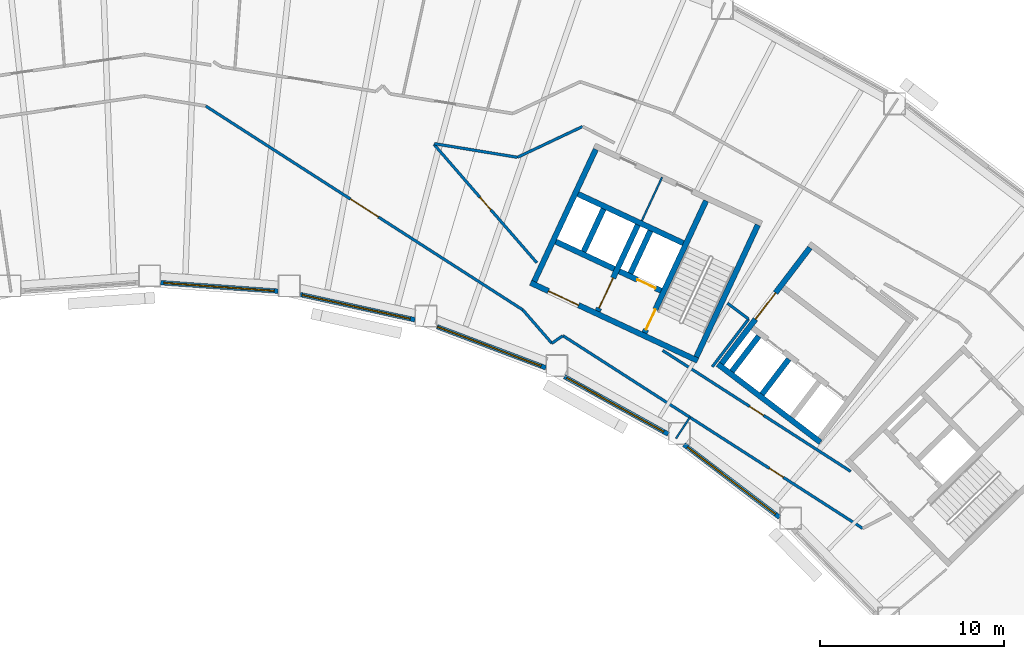
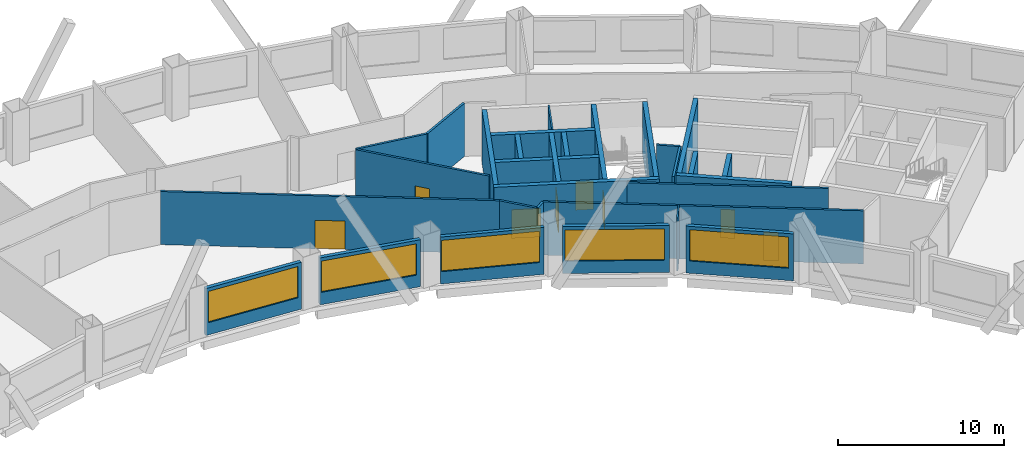
# One storey, part 6 of 12: 31 walls, 9 doors, 5 windows, 14 openings.
"""IFC4 building model written with IfcOpenShell, lengths in metres."""

from ifc_helpers import new_model, si_unit, direction, frame, frame_2d, origin, place, context, subcontext, project, spatial, rectangle, extrude, material, layer, layer_set, type_object, element, fill, save


model = new_model("IFC4")

# Units and contexts
model_context = context("Model", 3, precision=1e-05, world=origin(), true_north=direction((0.0, 1.0)))
body_context = subcontext(model_context, "Body", "Model", "MODEL_VIEW")
ifc_project = project(units=[si_unit("LENGTHUNIT", "METRE"), si_unit("AREAUNIT", "SQUARE_METRE"), si_unit("VOLUMEUNIT", "CUBIC_METRE"), si_unit("PLANEANGLEUNIT", "RADIAN"), si_unit("MASSUNIT", "GRAM", prefix="KILO")], contexts=[model_context])

# Site, building, storey
site_placement = place(None, origin())
site = spatial("IfcSite", under=ifc_project, at=site_placement, CompositionType="ELEMENT")
building_placement = place(site_placement, origin())
building = spatial("IfcBuilding", under=site, at=building_placement, Name="Tuul Gate Civic Tower", CompositionType="ELEMENT")
storey_placement = place(building_placement, frame((0.0, 0.0, 73.800048828125)))
storey = spatial("IfcBuildingStorey", under=building, at=storey_placement, Name="Level 16", CompositionType="ELEMENT", Elevation=73.800048828125)

# Wall, opening, door
ifc_material_1 = material(Name="Concrete C50/60", Category="concrete")
ifc_layer_1 = layer(ifc_material_1, 0.300048828125)
ifc_layer_set_1 = layer_set([ifc_layer_1], Name="Concrete C50/60")
wall_type_1 = type_object("IfcWallType", Name="Core wall C50/60", PredefinedType="SHEAR", material=ifc_layer_set_1)
wall_1_placement = place(storey_placement, frame((34.5283203125, -7.25, 0.0), z_axis=(0.0, 0.0, 1.0), x_axis=(-0.906310338845, 0.422612789327, 0.0)))
wall_1 = element("IfcWall", 1, at=wall_1_placement, inside=storey, type_object=wall_type_1, Name="Core wall", PredefinedType="SHEAR", context=body_context, shape_type="SweptSolid", body=[
    extrude(rectangle(XDim=9.999755859375, YDim=0.300048828125, at=frame_2d((5.0, 0.0))), origin(), (0.0, 0.0, 1.0), 3.89990234375),
])
opening_1_placement = place(wall_1_placement, frame((7.125, 0.0, 0.0)))
opening_1 = element("IfcOpeningElement", 2, at=opening_1_placement, cuts=wall_1, Name="Opening LB-E3-LOBBY-1", PredefinedType="OPENING", context=body_context, shape_type="SweptSolid", body=[
    extrude(rectangle(XDim=1.800048828125, YDim=2.10009765625, at=frame_2d((0.89990234375, 1.050048828125))), frame((0.0, 0.16015625, 0.0), z_axis=(0.0, -1.0, 0.0), x_axis=(1.0, 0.0, 0.0)), (0.0, 0.0, 1.0), 0.320068359375),
])
ifc_material_2 = material(Name="Steel", Category="steel")
door_type_1 = type_object("IfcDoorType", Name="Lobby door", OperationType="DOUBLE_DOOR_SINGLE_SWING", PredefinedType="DOOR", material=ifc_material_2)
door_1_placement = place(opening_1_placement, frame((1.800048828125, 0.0, 0.0), z_axis=(0.0, 0.0, 1.0), x_axis=(-1.0, 0.0, 0.0)))
door_1 = element("IfcDoor", 3, at=door_1_placement, inside=storey, type_object=door_type_1, Name="Lobby door E3-LOBBY", OperationType="DOUBLE_DOOR_SINGLE_SWING", OverallHeight=2.10009765625, OverallWidth=1.800048828125, PredefinedType="DOOR", context=body_context, shape_type="SweptSolid", body=[
    extrude(rectangle(XDim=1.800048828125, YDim=2.10009765625, at=frame_2d((0.900146484375, 1.050048828125))), frame((0.0, 0.02490234375, 0.0), z_axis=(0.0, -1.0, 0.0), x_axis=(1.0, 0.0, 0.0)), (0.0, 0.0, 1.0), 0.050048828125),
])
fill(opening_1, door_1)

wall_2_placement = place(storey_placement, frame((32.545654296875, -3.456787109375, 0.0), z_axis=(0.0, 0.0, 1.0), x_axis=(-0.906300357825, 0.42263419337, 0.0)))
wall_2 = element("IfcWall", 4, at=wall_2_placement, inside=storey, type_object=wall_type_1, Name="Core wall", PredefinedType="SHEAR", context=body_context, shape_type="SweptSolid", body=[
    extrude(rectangle(XDim=2.500244140625, YDim=0.300048828125, at=frame_2d((1.25, 0.0))), origin(), (0.0, 0.0, 1.0), 3.89990234375),
])
opening_2_placement = place(wall_2_placement, frame((0.324951171875, 0.0, 0.0)))
opening_2 = element("IfcOpeningElement", 5, at=opening_2_placement, cuts=wall_2, Name="Opening LD-FF-2", PredefinedType="OPENING", context=body_context, shape_type="SweptSolid", body=[
    extrude(rectangle(XDim=1.10009765625, YDim=2.10009765625, at=frame_2d((0.550048828125, 1.050048828125))), frame((0.0, 0.16015625, 0.0), z_axis=(0.0, -1.0, 0.0), x_axis=(1.0, 0.0, 0.0)), (0.0, 0.0, 1.0), 0.320068359375),
])
ifc_material_3 = material(Name="Stainless steel", Category="steel")
door_type_2 = type_object("IfcDoorType", Name="Landing door", OperationType="DOUBLE_DOOR_SLIDING", PredefinedType="DOOR", material=ifc_material_3)
door_2_placement = place(opening_2_placement, origin())
door_2 = element("IfcDoor", 6, at=door_2_placement, inside=storey, type_object=door_type_2, Name="Fire-fighting lift FF-2 landing door", OperationType="DOUBLE_DOOR_SLIDING", OverallHeight=2.10009765625, OverallWidth=1.10009765625, PredefinedType="DOOR", context=body_context, shape_type="SweptSolid", body=[
    extrude(rectangle(XDim=1.10009765625, YDim=2.10009765625, at=frame_2d((0.550048828125, 1.050048828125))), frame((0.0, 0.02490234375, 0.0), z_axis=(0.0, -1.0, 0.0), x_axis=(1.0, 0.0, 0.0)), (0.0, 0.0, 1.0), 0.050048828125),
])
fill(opening_2, door_2)

# Walls
wall_3_placement = place(storey_placement, frame((30.0078125, -2.2734375, 0.0), z_axis=(0.0, 0.0, 1.0), x_axis=(-0.90630071767, 0.422633421716, 0.0)))
element("IfcWall", 7, at=wall_3_placement, inside=storey, type_object=wall_type_1, Name="Core wall", PredefinedType="SHEAR", context=body_context, shape_type="SweptSolid", body=[
    extrude(rectangle(XDim=3.5, YDim=0.300048828125, at=frame_2d((1.75, 0.0))), origin(), (0.0, 0.0, 1.0), 3.89990234375),
])
wall_4_placement = place(storey_placement, frame((33.75, -0.873779296875, 0.0), z_axis=(0.0, 0.0, 1.0), x_axis=(-0.906300917592, 0.422632992999, 0.0)))
element("IfcWall", 8, at=wall_4_placement, inside=storey, type_object=wall_type_1, Name="Core wall", PredefinedType="SHEAR", context=body_context, shape_type="SweptSolid", body=[
    extrude(rectangle(XDim=6.300048828125, YDim=0.300048828125, at=frame_2d((3.14990234375, 0.0))), origin(), (0.0, 0.0, 1.0), 3.89990234375),
])
wall_5_placement = place(storey_placement, frame((34.455810546875, -7.05078125, 0.0), z_axis=(0.0, 0.0, 1.0), x_axis=(0.422570768258, 0.906329932096, 0.0)))
element("IfcWall", 9, at=wall_5_placement, inside=storey, type_object=wall_type_1, Name="Core wall", PredefinedType="SHEAR", context=body_context, shape_type="SweptSolid", body=[
    extrude(rectangle(XDim=7.900146484375, YDim=0.300048828125, at=frame_2d((3.9501953125, 0.0))), origin(), (0.0, 0.0, 1.0), 3.89990234375),
])

# Wall, opening, door
wall_6_placement = place(storey_placement, frame((31.646240234375, -5.740478515625, 0.0), z_axis=(0.0, 0.0, 1.0), x_axis=(0.422582604137, 0.906324413596, 0.0)))
wall_6 = element("IfcWall", 10, at=wall_6_placement, inside=storey, type_object=wall_type_1, Name="Core wall", PredefinedType="SHEAR", context=body_context, shape_type="SweptSolid", body=[
    extrude(rectangle(XDim=7.89990234375, YDim=0.300048828125, at=frame_2d((3.949951171875, 0.0))), origin(), (0.0, 0.0, 1.0), 3.89990234375),
])
opening_3_placement = place(wall_6_placement, frame((0.199951171875, 0.0, 0.0)))
opening_3 = element("IfcOpeningElement", 11, at=opening_3_placement, cuts=wall_6, Name="Opening SD-ST-4", PredefinedType="OPENING", context=body_context, shape_type="SweptSolid", body=[
    extrude(rectangle(XDim=1.199951171875, YDim=2.10009765625, at=frame_2d((0.60009765625, 1.050048828125))), frame((0.0, 0.16015625, 0.0), z_axis=(0.0, -1.0, 0.0), x_axis=(1.0, 0.0, 0.0)), (0.0, 0.0, 1.0), 0.320068359375),
])
ifc_material_4 = material(Name="Steel", Category="steel")
door_type_3 = type_object("IfcDoorType", Name="Stair door", OperationType="NOTDEFINED", PredefinedType="DOOR", material=ifc_material_4)
door_3_placement = place(opening_3_placement, origin())
door_3 = element("IfcDoor", 12, at=door_3_placement, inside=storey, type_object=door_type_3, Name="Stair door ST-4", OperationType="SINGLE_SWING_LEFT", OverallHeight=2.10009765625, OverallWidth=1.199951171875, PredefinedType="DOOR", context=body_context, shape_type="SweptSolid", body=[
    extrude(rectangle(XDim=1.199951171875, YDim=2.10009765625, at=frame_2d((0.60009765625, 1.050048828125))), frame((0.0, 0.02490234375, 0.0), z_axis=(0.0, -1.0, 0.0), x_axis=(1.0, 0.0, 0.0)), (0.0, 0.0, 1.0), 0.050048828125),
])
fill(opening_3, door_3)

# Wall
wall_7_placement = place(storey_placement, frame((30.886962890625, -2.517822265625, 0.0), z_axis=(0.0, 0.0, 1.0), x_axis=(0.422612891016, 0.906310291427, 0.0)))
element("IfcWall", 13, at=wall_7_placement, inside=storey, type_object=wall_type_1, Name="Core wall", PredefinedType="SHEAR", context=body_context, shape_type="SweptSolid", body=[
    extrude(rectangle(XDim=2.550048828125, YDim=0.300048828125, at=frame_2d((1.27490234375, 0.0))), origin(), (0.0, 0.0, 1.0), 3.89990234375),
])

# Wall, opening, door
wall_8_placement = place(storey_placement, frame((29.108642578125, -4.557373046875, 0.0), z_axis=(0.0, 0.0, 1.0), x_axis=(0.422566235356, 0.90633204552, 0.0)))
wall_8 = element("IfcWall", 14, at=wall_8_placement, inside=storey, type_object=wall_type_1, Name="Core wall", PredefinedType="SHEAR", context=body_context, shape_type="SweptSolid", body=[
    extrude(rectangle(XDim=5.150146484375, YDim=0.300048828125, at=frame_2d((2.5751953125, 0.0))), origin(), (0.0, 0.0, 1.0), 3.89990234375),
])
opening_4_placement = place(wall_8_placement, frame((0.175048828125, 0.0, 0.0)))
opening_4 = element("IfcOpeningElement", 15, at=opening_4_placement, cuts=wall_8, Name="Opening LB-E3-FLOBBY-1", PredefinedType="OPENING", context=body_context, shape_type="SweptSolid", body=[
    extrude(rectangle(XDim=1.800048828125, YDim=2.10009765625, at=frame_2d((0.89990234375, 1.050048828125))), frame((0.0, 0.16015625, 0.0), z_axis=(0.0, -1.0, 0.0), x_axis=(1.0, 0.0, 0.0)), (0.0, 0.0, 1.0), 0.320068359375),
])
door_4_placement = place(opening_4_placement, frame((1.800048828125, 0.0, 0.0), z_axis=(0.0, 0.0, 1.0), x_axis=(-1.0, 0.0, 0.0)))
door_4 = element("IfcDoor", 16, at=door_4_placement, inside=storey, type_object=door_type_1, Name="Lobby door E3-FLOBBY", OperationType="DOUBLE_DOOR_SINGLE_SWING", OverallHeight=2.10009765625, OverallWidth=1.800048828125, PredefinedType="DOOR", context=body_context, shape_type="SweptSolid", body=[
    extrude(rectangle(XDim=1.800048828125, YDim=2.10009765625, at=frame_2d((0.900146484375, 1.050048828125))), frame((0.0, 0.02490234375, 0.0), z_axis=(0.0, -1.0, 0.0), x_axis=(1.0, 0.0, 0.0)), (0.0, 0.0, 1.0), 0.050048828125),
])
fill(opening_4, door_4)

# Walls
wall_9_placement = place(storey_placement, frame((28.349365234375, -1.33447265625, 0.0), z_axis=(0.0, 0.0, 1.0), x_axis=(0.422612891016, 0.906310291427, 0.0)))
element("IfcWall", 17, at=wall_9_placement, inside=storey, type_object=wall_type_1, Name="Core wall", PredefinedType="SHEAR", context=body_context, shape_type="SweptSolid", body=[
    extrude(rectangle(XDim=2.550048828125, YDim=0.300048828125, at=frame_2d((1.27490234375, 0.0))), origin(), (0.0, 0.0, 1.0), 3.89990234375),
])
wall_10_placement = place(storey_placement, frame((25.66455078125, -2.951416015625, 0.0), z_axis=(0.0, 0.0, 1.0), x_axis=(0.422582604137, 0.906324413596, 0.0)))
element("IfcWall", 18, at=wall_10_placement, inside=storey, type_object=wall_type_1, Name="Core wall", PredefinedType="SHEAR", context=body_context, shape_type="SweptSolid", body=[
    extrude(rectangle(XDim=7.89990234375, YDim=0.300048828125, at=frame_2d((3.949951171875, 0.0))), origin(), (0.0, 0.0, 1.0), 3.89990234375),
])

# Wall, opening, door
ifc_material_5 = material(Name="Gypsum board partition")
ifc_layer_2 = layer(ifc_material_5, 0.14990234375)
ifc_layer_set_2 = layer_set([ifc_layer_2], Name="Gypsum board partition")
wall_type_2 = type_object("IfcWallType", Name="Corridor wall P150", PredefinedType="PARTITIONING", material=ifc_layer_set_2)
wall_11_placement = place(storey_placement, frame((20.222412109375, 4.488037109375, 0.0), z_axis=(0.0, 0.0, 1.0), x_axis=(0.655887554702, -0.754858606354, 0.0)))
wall_11 = element("IfcWall", 19, at=wall_11_placement, inside=storey, type_object=wall_type_2, Name="p021", PredefinedType="PARTITIONING", context=body_context, shape_type="SweptSolid", body=[
    extrude(rectangle(XDim=8.512939453125, YDim=0.14990234375, at=frame_2d((4.25634765625, 0.0))), origin(), (0.0, 0.0, 1.0), 3.89990234375),
])
opening_5_placement = place(wall_11_placement, frame((3.806396484375, 0.0, 0.0)))
opening_5 = element("IfcOpeningElement", 20, at=opening_5_placement, cuts=wall_11, Name="Opening E-D21", PredefinedType="OPENING", context=body_context, shape_type="SweptSolid", body=[
    extrude(rectangle(XDim=0.89990234375, YDim=2.10009765625, at=frame_2d((0.449951171875, 1.050048828125))), frame((0.0, 0.0849609375, 0.0), z_axis=(0.0, -1.0, 0.0), x_axis=(1.0, 0.0, 0.0)), (0.0, 0.0, 1.0), 0.169921875),
])
ifc_material_6 = material(Name="Timber door leaf", Category="wood")
door_type_4 = type_object("IfcDoorType", Name="Door D09", OperationType="NOTDEFINED", PredefinedType="DOOR", material=ifc_material_6)
door_5_placement = place(opening_5_placement, origin())
door_5 = element("IfcDoor", 21, at=door_5_placement, inside=storey, type_object=door_type_4, Name="Door E-D21", OperationType="SINGLE_SWING_RIGHT", OverallHeight=2.10009765625, OverallWidth=0.89990234375, PredefinedType="DOOR", context=body_context, shape_type="SweptSolid", body=[
    extrude(rectangle(XDim=0.89990234375, YDim=2.10009765625, at=frame_2d((0.449951171875, 1.050048828125))), frame((0.0, 0.02490234375, 0.0), z_axis=(0.0, -1.0, 0.0), x_axis=(1.0, 0.0, 0.0)), (0.0, 0.0, 1.0), 0.050048828125),
])
fill(opening_5, door_5)

wall_12_placement = place(storey_placement, frame((32.630615234375, -6.6962890625, 0.0), z_axis=(0.0, 0.0, 1.0), x_axis=(0.84117062622, -0.540769800917, 0.0)))
wall_12 = element("IfcWall", 22, at=wall_12_placement, inside=storey, type_object=wall_type_2, Name="p025", PredefinedType="PARTITIONING", context=body_context, shape_type="SweptSolid", body=[
    extrude(rectangle(XDim=12.12744140625, YDim=0.14990234375, at=frame_2d((6.063720703125, 0.0))), origin(), (0.0, 0.0, 1.0), 3.89990234375),
])
opening_6_placement = place(wall_12_placement, frame((5.61376953125, 0.0, 0.0)))
opening_6 = element("IfcOpeningElement", 23, at=opening_6_placement, cuts=wall_12, Name="Opening E-D20", PredefinedType="OPENING", context=body_context, shape_type="SweptSolid", body=[
    extrude(rectangle(XDim=0.89990234375, YDim=2.10009765625, at=frame_2d((0.449951171875, 1.050048828125))), frame((0.0, 0.0849609375, 0.0), z_axis=(0.0, -1.0, 0.0), x_axis=(1.0, 0.0, 0.0)), (0.0, 0.0, 1.0), 0.169921875),
])
door_6_placement = place(opening_6_placement, frame((0.89990234375, 0.0, 0.0), z_axis=(0.0, 0.0, 1.0), x_axis=(-1.0, 0.0, 0.0)))
door_6 = element("IfcDoor", 24, at=door_6_placement, inside=storey, type_object=door_type_4, Name="Door E-D20", OperationType="SINGLE_SWING_LEFT", OverallHeight=2.10009765625, OverallWidth=0.89990234375, PredefinedType="DOOR", context=body_context, shape_type="SweptSolid", body=[
    extrude(rectangle(XDim=0.89990234375, YDim=2.10009765625, at=frame_2d((0.449951171875, 1.050048828125))), frame((0.0, 0.02490234375, 0.0), z_axis=(0.0, -1.0, 0.0), x_axis=(1.0, 0.0, 0.0)), (0.0, 0.0, 1.0), 0.050048828125),
])
fill(opening_6, door_6)

wall_13_placement = place(storey_placement, frame((7.852294921875, 6.55859375, 0.0), z_axis=(0.0, 0.0, 1.0), x_axis=(0.841168773291, -0.540772683149, 0.0)))
wall_13 = element("IfcWall", 25, at=wall_13_placement, inside=storey, type_object=wall_type_2, Name="p044", PredefinedType="PARTITIONING", context=body_context, shape_type="SweptSolid", body=[
    extrude(rectangle(XDim=20.440185546875, YDim=0.14990234375, at=frame_2d((10.22021484375, 0.0))), origin(), (0.0, 0.0, 1.0), 3.89990234375),
])
opening_7_placement = place(wall_13_placement, frame((9.320068359375, 0.0, 0.0)))
opening_7 = element("IfcOpeningElement", 26, at=opening_7_placement, cuts=wall_13, Name="Opening E-D16", PredefinedType="OPENING", context=body_context, shape_type="SweptSolid", body=[
    extrude(rectangle(XDim=1.800048828125, YDim=2.10009765625, at=frame_2d((0.89990234375, 1.050048828125))), frame((0.0, 0.0849609375, 0.0), z_axis=(0.0, -1.0, 0.0), x_axis=(1.0, 0.0, 0.0)), (0.0, 0.0, 1.0), 0.169921875),
])
ifc_material_7 = material(Name="Timber door leaf, double", Category="wood")
door_type_5 = type_object("IfcDoorType", Name="Door D18", OperationType="DOUBLE_DOOR_SINGLE_SWING", PredefinedType="DOOR", material=ifc_material_7)
door_7_placement = place(opening_7_placement, frame((1.800048828125, 0.0, 0.0), z_axis=(0.0, 0.0, 1.0), x_axis=(-1.0, 0.0, 0.0)))
door_7 = element("IfcDoor", 27, at=door_7_placement, inside=storey, type_object=door_type_5, Name="Door E-D16", OperationType="DOUBLE_DOOR_SINGLE_SWING", OverallHeight=2.10009765625, OverallWidth=1.800048828125, PredefinedType="DOOR", context=body_context, shape_type="SweptSolid", body=[
    extrude(rectangle(XDim=1.800048828125, YDim=2.10009765625, at=frame_2d((0.900146484375, 1.050048828125))), frame((0.0, 0.02490234375, 0.0), z_axis=(0.0, -1.0, 0.0), x_axis=(1.0, 0.0, 0.0)), (0.0, 0.0, 1.0), 0.050048828125),
])
fill(opening_7, door_7)

wall_14_placement = place(storey_placement, frame((27.230712890625, -5.899658203125, 0.0), z_axis=(0.0, 0.0, 1.0), x_axis=(0.841168620233, -0.540772921229, 0.0)))
wall_14 = element("IfcWall", 28, at=wall_14_placement, inside=storey, type_object=wall_type_2, Name="p045", PredefinedType="PARTITIONING", context=body_context, shape_type="SweptSolid", body=[
    extrude(rectangle(XDim=19.31787109375, YDim=0.14990234375, at=frame_2d((9.658935546875, 0.0))), origin(), (0.0, 0.0, 1.0), 3.89990234375),
])
opening_8_placement = place(wall_14_placement, frame((13.29638671875, 0.0, 0.0)))
opening_8 = element("IfcOpeningElement", 29, at=opening_8_placement, cuts=wall_14, Name="Opening E-D15", PredefinedType="OPENING", context=body_context, shape_type="SweptSolid", body=[
    extrude(rectangle(XDim=0.89990234375, YDim=2.10009765625, at=frame_2d((0.449951171875, 1.050048828125))), frame((0.0, 0.0849609375, 0.0), z_axis=(0.0, -1.0, 0.0), x_axis=(1.0, 0.0, 0.0)), (0.0, 0.0, 1.0), 0.169921875),
])
door_8_placement = place(opening_8_placement, frame((0.89990234375, 0.0, 0.0), z_axis=(0.0, 0.0, 1.0), x_axis=(-1.0, 0.0, 0.0)))
door_8 = element("IfcDoor", 30, at=door_8_placement, inside=storey, type_object=door_type_4, Name="Door E-D15", OperationType="SINGLE_SWING_LEFT", OverallHeight=2.10009765625, OverallWidth=0.89990234375, PredefinedType="DOOR", context=body_context, shape_type="SweptSolid", body=[
    extrude(rectangle(XDim=0.89990234375, YDim=2.10009765625, at=frame_2d((0.449951171875, 1.050048828125))), frame((0.0, 0.02490234375, 0.0), z_axis=(0.0, -1.0, 0.0), x_axis=(1.0, 0.0, 0.0)), (0.0, 0.0, 1.0), 0.050048828125),
])
fill(opening_8, door_8)

# Walls
wall_15_placement = place(storey_placement, frame((20.240966796875, 4.5224609375, 0.0), z_axis=(0.0, 0.0, 1.0), x_axis=(0.98673971017, -0.162310641588, 0.0)))
element("IfcWall", 31, at=wall_15_placement, inside=storey, type_object=wall_type_2, Name="p049", PredefinedType="PARTITIONING", context=body_context, shape_type="SweptSolid", body=[
    extrude(rectangle(XDim=4.569580078125, YDim=0.14990234375, at=frame_2d((2.28466796875, 0.0))), origin(), (0.0, 0.0, 1.0), 3.89990234375),
])
wall_16_placement = place(storey_placement, frame((25.0458984375, -4.494873046875, 0.0), z_axis=(0.0, 0.0, 1.0), x_axis=(0.656125849695, -0.754651488677, 0.0)))
element("IfcWall", 32, at=wall_16_placement, inside=storey, type_object=wall_type_2, Name="p050", PredefinedType="PARTITIONING", context=body_context, shape_type="SweptSolid", body=[
    extrude(rectangle(XDim=2.401123046875, YDim=0.14990234375, at=frame_2d((1.20068359375, 0.0))), origin(), (0.0, 0.0, 1.0), 3.89990234375),
])
wall_17_placement = place(storey_placement, frame((26.621337890625, -6.306884765625, 0.0), z_axis=(0.0, 0.0, 1.0), x_axis=(0.823443798686, 0.567397841383, 0.0)))
element("IfcWall", 33, at=wall_17_placement, inside=storey, type_object=wall_type_2, Name="p051", PredefinedType="PARTITIONING", context=body_context, shape_type="SweptSolid", body=[
    extrude(rectangle(XDim=0.715087890625, YDim=0.14990234375, at=frame_2d((0.357421875, 0.0))), origin(), (0.0, 0.0, 1.0), 3.89990234375),
])
wall_18_placement = place(storey_placement, frame((36.147705078125, -4.13330078125, 0.0), z_axis=(0.0, 0.0, 1.0), x_axis=(0.798976694108, -0.601361989382, 0.0)))
element("IfcWall", 34, at=wall_18_placement, inside=storey, type_object=wall_type_2, Name="p058", PredefinedType="PARTITIONING", context=body_context, shape_type="SweptSolid", body=[
    extrude(rectangle(XDim=1.43310546875, YDim=0.14990234375, at=frame_2d((0.716552734375, 0.0))), origin(), (0.0, 0.0, 1.0), 3.89990234375),
])
wall_19_placement = place(storey_placement, frame((35.32177734375, -7.58447265625, 0.0), z_axis=(0.0, 0.0, 1.0), x_axis=(0.605733537109, 0.795667570045, 0.0)))
element("IfcWall", 35, at=wall_19_placement, inside=storey, type_object=wall_type_2, Name="p059", PredefinedType="PARTITIONING", context=body_context, shape_type="SweptSolid", body=[
    extrude(rectangle(XDim=3.254638671875, YDim=0.14990234375, at=frame_2d((1.62744140625, 0.0))), origin(), (0.0, 0.0, 1.0), 3.89990234375),
])
wall_20_placement = place(storey_placement, frame((24.75048828125, 3.77880859375, 0.0), z_axis=(0.0, 0.0, 1.0), x_axis=(0.904105184288, 0.427309976181, 0.0)))
element("IfcWall", 36, at=wall_20_placement, inside=storey, type_object=wall_type_2, Name="p066", PredefinedType="PARTITIONING", context=body_context, shape_type="SweptSolid", body=[
    extrude(rectangle(XDim=3.907470703125, YDim=0.14990234375, at=frame_2d((1.95361328125, 0.0))), origin(), (0.0, 0.0, 1.0), 3.89990234375),
])

# Wall, opening, window
ifc_material_8 = material(Name="Precast concrete C40/50", Category="concrete")
ifc_layer_3 = layer(ifc_material_8, 0.25)
ifc_layer_set_3 = layer_set([ifc_layer_3], Name="Precast concrete C40/50")
wall_type_3 = type_object("IfcWallType", Name="External wall", PredefinedType="STANDARD", material=ifc_layer_set_3)
wall_21_placement = place(storey_placement, frame((5.407958984375, -3.01806640625, 0.0), z_axis=(0.0, 0.0, 1.0), x_axis=(0.997382879348, -0.072300705277, 0.0)))
wall_21 = element("IfcWall", 37, at=wall_21_placement, inside=storey, type_object=wall_type_3, Name="External wall", PredefinedType="STANDARD", context=body_context, shape_type="SweptSolid", body=[
    extrude(rectangle(XDim=6.388671875, YDim=0.25, at=frame_2d((3.1943359375, 0.0))), origin(), (0.0, 0.0, 1.0), 3.449951171875),
])
opening_9_placement = place(wall_21_placement, frame((0.1708984375, 0.0, 0.89990234375)))
opening_9 = element("IfcOpeningElement", 38, at=opening_9_placement, cuts=wall_21, Name="Opening W26", PredefinedType="OPENING", context=body_context, shape_type="SweptSolid", body=[
    extrude(rectangle(XDim=6.0, YDim=2.300048828125, at=frame_2d((3.0, 1.14990234375))), frame((0.0, 0.135009765625, 0.0), z_axis=(0.0, -1.0, 0.0), x_axis=(1.0, 0.0, 0.0)), (0.0, 0.0, 1.0), 0.27001953125),
])
ifc_material_9 = material(Name="Glass", Category="glass")
window_type = type_object("IfcWindowType", Name="Window W26 6000 x 2300", PartitioningType="SINGLE_PANEL", PredefinedType="WINDOW", material=ifc_material_9)
window_1_placement = place(opening_9_placement, origin())
window_1 = element("IfcWindow", 39, at=window_1_placement, inside=storey, type_object=window_type, Name="Window", OverallHeight=2.300048828125, OverallWidth=6.0, PartitioningType="SINGLE_PANEL", PredefinedType="WINDOW", context=body_context, shape_type="SweptSolid", body=[
    extrude(rectangle(XDim=6.0, YDim=2.300048828125, at=frame_2d((3.0, 1.14990234375))), frame((0.0, 0.030029296875, 0.0), z_axis=(0.0, -1.0, 0.0), x_axis=(1.0, 0.0, 0.0)), (0.0, 0.0, 1.0), 0.06005859375),
])
fill(opening_9, window_1)

wall_22_placement = place(storey_placement, frame((12.97998046875, -3.66259765625, 0.0), z_axis=(0.0, 0.0, 1.0), x_axis=(0.97656114485, -0.215240169041, 0.0)))
wall_22 = element("IfcWall", 40, at=wall_22_placement, inside=storey, type_object=wall_type_3, Name="External wall", PredefinedType="STANDARD", context=body_context, shape_type="SweptSolid", body=[
    extrude(rectangle(XDim=6.36328125, YDim=0.25, at=frame_2d((3.181640625, 0.0))), origin(), (0.0, 0.0, 1.0), 3.449951171875),
])
opening_10_placement = place(wall_22_placement, frame((0.10986328125, 0.0, 0.89990234375)))
opening_10 = element("IfcOpeningElement", 41, at=opening_10_placement, cuts=wall_22, Name="Opening W26", PredefinedType="OPENING", context=body_context, shape_type="SweptSolid", body=[
    extrude(rectangle(XDim=6.0, YDim=2.300048828125, at=frame_2d((3.0, 1.14990234375))), frame((0.0, 0.135009765625, 0.0), z_axis=(0.0, -1.0, 0.0), x_axis=(1.0, 0.0, 0.0)), (0.0, 0.0, 1.0), 0.27001953125),
])
window_2_placement = place(opening_10_placement, origin())
window_2 = element("IfcWindow", 42, at=window_2_placement, inside=storey, type_object=window_type, Name="Window", OverallHeight=2.300048828125, OverallWidth=6.0, PartitioningType="SINGLE_PANEL", PredefinedType="WINDOW", context=body_context, shape_type="SweptSolid", body=[
    extrude(rectangle(XDim=6.0, YDim=2.300048828125, at=frame_2d((3.0, 1.14990234375))), frame((0.0, 0.030029296875, 0.0), z_axis=(0.0, -1.0, 0.0), x_axis=(1.0, 0.0, 0.0)), (0.0, 0.0, 1.0), 0.06005859375),
])
fill(opening_10, window_2)

wall_23_placement = place(storey_placement, frame((20.39404296875, -5.406005859375, 0.0), z_axis=(0.0, 0.0, 1.0), x_axis=(0.935355477431, -0.353709104829, 0.0)))
wall_23 = element("IfcWall", 43, at=wall_23_placement, inside=storey, type_object=wall_type_3, Name="External wall", PredefinedType="STANDARD", context=body_context, shape_type="SweptSolid", body=[
    extrude(rectangle(XDim=6.30859375, YDim=0.25, at=frame_2d((3.154296875, 0.0))), origin(), (0.0, 0.0, 1.0), 3.449951171875),
])
opening_11_placement = place(wall_23_placement, frame((0.03125, 0.0, 0.89990234375)))
opening_11 = element("IfcOpeningElement", 44, at=opening_11_placement, cuts=wall_23, Name="Opening W26", PredefinedType="OPENING", context=body_context, shape_type="SweptSolid", body=[
    extrude(rectangle(XDim=6.0, YDim=2.300048828125, at=frame_2d((3.0, 1.14990234375))), frame((0.0, 0.135009765625, 0.0), z_axis=(0.0, -1.0, 0.0), x_axis=(1.0, 0.0, 0.0)), (0.0, 0.0, 1.0), 0.27001953125),
])
window_3_placement = place(opening_11_placement, origin())
window_3 = element("IfcWindow", 45, at=window_3_placement, inside=storey, type_object=window_type, Name="Window", OverallHeight=2.300048828125, OverallWidth=6.0, PartitioningType="SINGLE_PANEL", PredefinedType="WINDOW", context=body_context, shape_type="SweptSolid", body=[
    extrude(rectangle(XDim=6.0, YDim=2.300048828125, at=frame_2d((3.0, 1.14990234375))), frame((0.0, 0.030029296875, 0.0), z_axis=(0.0, -1.0, 0.0), x_axis=(1.0, 0.0, 0.0)), (0.0, 0.0, 1.0), 0.06005859375),
])
fill(opening_11, window_3)

wall_24_placement = place(storey_placement, frame((27.307373046875, -8.116943359375, 0.0), z_axis=(0.0, 0.0, 1.0), x_axis=(0.874625787744, -0.484798650384, 0.0)))
wall_24 = element("IfcWall", 46, at=wall_24_placement, inside=storey, type_object=wall_type_3, Name="External wall", PredefinedType="STANDARD", context=body_context, shape_type="SweptSolid", body=[
    extrude(rectangle(XDim=6.434326171875, YDim=0.25, at=frame_2d((3.21728515625, 0.0))), origin(), (0.0, 0.0, 1.0), 3.449951171875),
])
opening_12_placement = place(wall_24_placement, frame((0.143798828125, 0.0, 0.89990234375)))
opening_12 = element("IfcOpeningElement", 47, at=opening_12_placement, cuts=wall_24, Name="Opening W26", PredefinedType="OPENING", context=body_context, shape_type="SweptSolid", body=[
    extrude(rectangle(XDim=6.0, YDim=2.300048828125, at=frame_2d((3.0, 1.14990234375))), frame((0.0, 0.135009765625, 0.0), z_axis=(0.0, -1.0, 0.0), x_axis=(1.0, 0.0, 0.0)), (0.0, 0.0, 1.0), 0.27001953125),
])
window_4_placement = place(opening_12_placement, origin())
window_4 = element("IfcWindow", 48, at=window_4_placement, inside=storey, type_object=window_type, Name="Window", OverallHeight=2.300048828125, OverallWidth=6.0, PartitioningType="SINGLE_PANEL", PredefinedType="WINDOW", context=body_context, shape_type="SweptSolid", body=[
    extrude(rectangle(XDim=6.0, YDim=2.300048828125, at=frame_2d((3.0, 1.14990234375))), frame((0.0, 0.030029296875, 0.0), z_axis=(0.0, -1.0, 0.0), x_axis=(1.0, 0.0, 0.0)), (0.0, 0.0, 1.0), 0.06005859375),
])
fill(opening_12, window_4)

wall_25_placement = place(storey_placement, frame((33.785888671875, -11.797119140625, 0.0), z_axis=(0.0, 0.0, 1.0), x_axis=(0.795581202254, -0.605846969639, 0.0)))
wall_25 = element("IfcWall", 49, at=wall_25_placement, inside=storey, type_object=wall_type_3, Name="External wall", PredefinedType="STANDARD", context=body_context, shape_type="SweptSolid", body=[
    extrude(rectangle(XDim=6.5224609375, YDim=0.25, at=frame_2d((3.26123046875, 0.0))), origin(), (0.0, 0.0, 1.0), 3.449951171875),
])
opening_13_placement = place(wall_25_placement, frame((0.232666015625, 0.0, 0.89990234375)))
opening_13 = element("IfcOpeningElement", 50, at=opening_13_placement, cuts=wall_25, Name="Opening W26", PredefinedType="OPENING", context=body_context, shape_type="SweptSolid", body=[
    extrude(rectangle(XDim=6.0, YDim=2.300048828125, at=frame_2d((3.0, 1.14990234375))), frame((0.0, 0.135009765625, 0.0), z_axis=(0.0, -1.0, 0.0), x_axis=(1.0, 0.0, 0.0)), (0.0, 0.0, 1.0), 0.27001953125),
])
window_5_placement = place(opening_13_placement, origin())
window_5 = element("IfcWindow", 51, at=window_5_placement, inside=storey, type_object=window_type, Name="Window", OverallHeight=2.300048828125, OverallWidth=6.0, PartitioningType="SINGLE_PANEL", PredefinedType="WINDOW", context=body_context, shape_type="SweptSolid", body=[
    extrude(rectangle(XDim=6.0, YDim=2.300048828125, at=frame_2d((3.0, 1.14990234375))), frame((0.0, 0.030029296875, 0.0), z_axis=(0.0, -1.0, 0.0), x_axis=(1.0, 0.0, 0.0)), (0.0, 0.0, 1.0), 0.06005859375),
])
fill(opening_13, window_5)

# Walls
ifc_material_10 = material(Name="Concrete C40/50", Category="concrete")
ifc_layer_4 = layer(ifc_material_10, 0.300048828125)
ifc_layer_set_4 = layer_set([ifc_layer_4], Name="Concrete C40/50")
wall_type_4 = type_object("IfcWallType", Name="Lift shaft wall C40/50", PredefinedType="STANDARD", material=ifc_layer_set_4)
wall_26_placement = place(storey_placement, frame((41.19189453125, -11.677734375, 0.0), z_axis=(0.0, 0.0, 1.0), x_axis=(-0.795563000331, 0.605870871147, 0.0)))
element("IfcWall", 52, at=wall_26_placement, inside=storey, type_object=wall_type_4, Name="Shaft wall", PredefinedType="STANDARD", context=body_context, shape_type="SweptSolid", body=[
    extrude(rectangle(XDim=7.000244140625, YDim=0.300048828125, at=frame_2d((3.5, 0.0))), origin(), (0.0, 0.0, 1.0), 3.89990234375),
])
wall_27_placement = place(storey_placement, frame((38.02099609375, -9.07421875, 0.0), z_axis=(0.0, 0.0, 1.0), x_axis=(0.605730519254, 0.795669867498, 0.0)))
element("IfcWall", 53, at=wall_27_placement, inside=storey, type_object=wall_type_4, Name="Shaft wall", PredefinedType="STANDARD", context=body_context, shape_type="SweptSolid", body=[
    extrude(rectangle(XDim=2.399658203125, YDim=0.300048828125, at=frame_2d((1.19970703125, 0.0))), origin(), (0.0, 0.0, 1.0), 3.89990234375),
])
wall_28_placement = place(storey_placement, frame((36.389892578125, -7.832275390625, 0.0), z_axis=(0.0, 0.0, 1.0), x_axis=(0.605745892068, 0.79565816419, 0.0)))
element("IfcWall", 54, at=wall_28_placement, inside=storey, type_object=wall_type_4, Name="Shaft wall", PredefinedType="STANDARD", context=body_context, shape_type="SweptSolid", body=[
    extrude(rectangle(XDim=2.400146484375, YDim=0.300048828125, at=frame_2d((1.2001953125, 0.0))), origin(), (0.0, 0.0, 1.0), 3.89990234375),
])

# Wall, opening, door
wall_29_placement = place(storey_placement, frame((35.8330078125, -7.408203125, 0.0), z_axis=(0.0, 0.0, 1.0), x_axis=(0.605769437763, 0.795640237967, 0.0)))
wall_29 = element("IfcWall", 55, at=wall_29_placement, inside=storey, type_object=wall_type_4, Name="Shaft wall", PredefinedType="STANDARD", context=body_context, shape_type="SweptSolid", body=[
    extrude(rectangle(XDim=7.900146484375, YDim=0.300048828125, at=frame_2d((3.9501953125, 0.0))), origin(), (0.0, 0.0, 1.0), 3.89990234375),
])
opening_14_placement = place(wall_29_placement, frame((3.02490234375, 0.0, 0.0)))
opening_14 = element("IfcOpeningElement", 56, at=opening_14_placement, cuts=wall_29, Name="Opening LB-E2-LOBBY-1", PredefinedType="OPENING", context=body_context, shape_type="SweptSolid", body=[
    extrude(rectangle(XDim=1.800048828125, YDim=2.10009765625, at=frame_2d((0.89990234375, 1.050048828125))), frame((0.0, 0.16015625, 0.0), z_axis=(0.0, -1.0, 0.0), x_axis=(1.0, 0.0, 0.0)), (0.0, 0.0, 1.0), 0.320068359375),
])
door_9_placement = place(opening_14_placement, frame((1.800048828125, 0.0, 0.0), z_axis=(0.0, 0.0, 1.0), x_axis=(-1.0, 0.0, 0.0)))
door_9 = element("IfcDoor", 57, at=door_9_placement, inside=storey, type_object=door_type_1, Name="Lobby door E2-LOBBY", OperationType="DOUBLE_DOOR_SINGLE_SWING", OverallHeight=2.10009765625, OverallWidth=1.800048828125, PredefinedType="DOOR", context=body_context, shape_type="SweptSolid", body=[
    extrude(rectangle(XDim=1.800048828125, YDim=2.10009765625, at=frame_2d((0.900146484375, 1.050048828125))), frame((0.0, 0.02490234375, 0.0), z_axis=(0.0, -1.0, 0.0), x_axis=(1.0, 0.0, 0.0)), (0.0, 0.0, 1.0), 0.050048828125),
])
fill(opening_14, door_9)

# Walls
ifc_material_11 = material(Name="Gypsum board partition")
ifc_layer_5 = layer(ifc_material_11, 0.10009765625)
ifc_layer_set_5 = layer_set([ifc_layer_5], Name="Gypsum board partition")
wall_type_5 = type_object("IfcWallType", Name="Partition P100", PredefinedType="PARTITIONING", material=ifc_layer_set_5)
wall_30_placement = place(storey_placement, frame((33.35400390625, -11.474365234375, 0.0), z_axis=(0.0, 0.0, 1.0), x_axis=(0.546743275898, 0.837300298734, 0.0)))
element("IfcWall", 58, at=wall_30_placement, inside=storey, type_object=wall_type_5, Name="p008", PredefinedType="PARTITIONING", context=body_context, shape_type="SweptSolid", body=[
    extrude(rectangle(XDim=1.3779296875, YDim=0.10009765625, at=frame_2d((0.68896484375, 0.0))), origin(), (0.0, 0.0, 1.0), 3.89990234375),
])
wall_31_placement = place(storey_placement, frame((31.502197265625, 0.33984375, 0.0), z_axis=(0.0, 0.0, 1.0), x_axis=(0.422556439746, 0.906336612539, 0.0)))
element("IfcWall", 59, at=wall_31_placement, inside=storey, type_object=wall_type_5, Name="bE3-BAND-0", PredefinedType="PARTITIONING", context=body_context, shape_type="SweptSolid", body=[
    extrude(rectangle(XDim=2.599853515625, YDim=0.10009765625, at=frame_2d((1.2998046875, 0.0))), origin(), (0.0, 0.0, 1.0), 3.89990234375),
])

save(model, "model.ifc")
